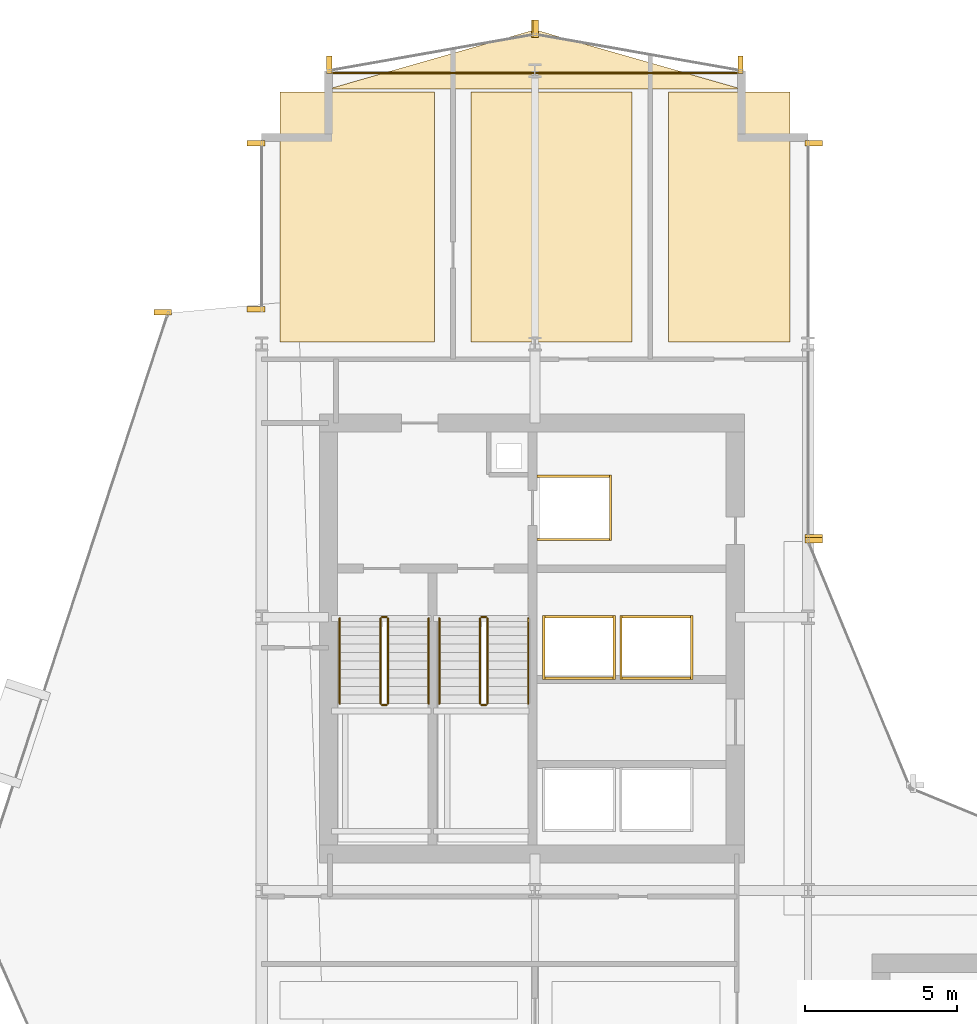
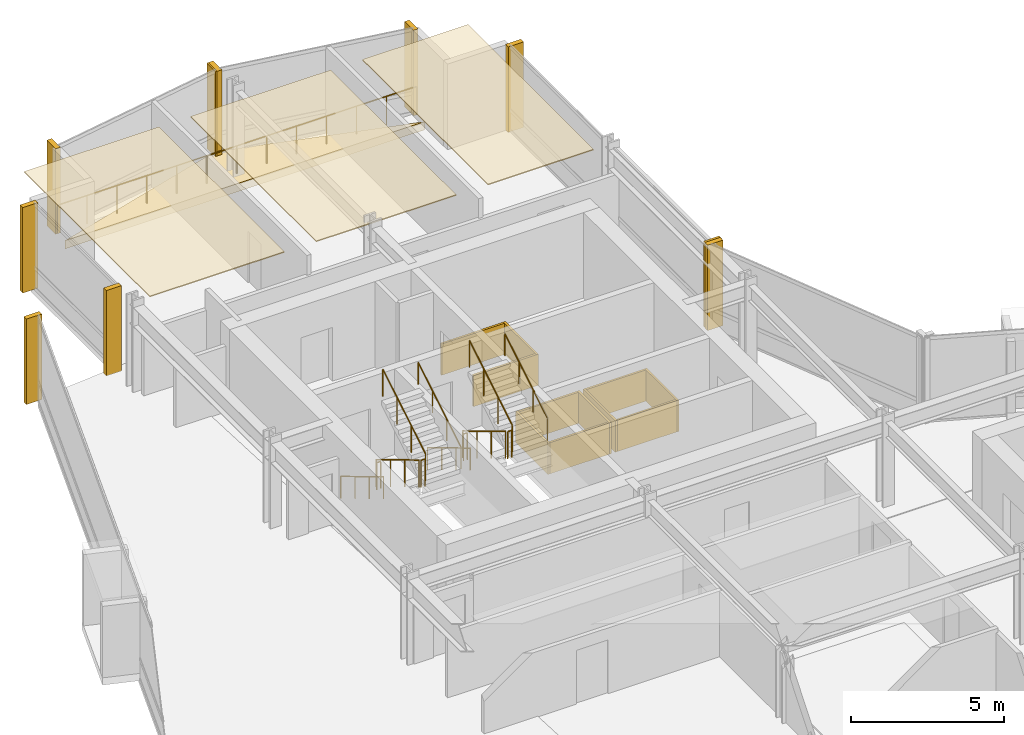
# One storey, part 33 of 34: 25 coverings, 13 railings.
"""IFC4 building model written with IfcOpenShell, lengths in metres."""

from ifc_helpers import new_model, si_unit, direction, frame, origin, origin_2d, place, context, subcontext, project, spatial, polyline, rectangle, circle, outline, extrude, material, layer, layer_set, type_object, element, save


model = new_model("IFC4")

# Units and contexts
model_context = context("Model", 3, precision=1e-05, world=origin(), true_north=direction((0.0, 1.0)))
body_context = subcontext(model_context, "Body", "Model", "MODEL_VIEW")
ifc_project = project(units=[si_unit("LENGTHUNIT", "METRE"), si_unit("AREAUNIT", "SQUARE_METRE"), si_unit("VOLUMEUNIT", "CUBIC_METRE"), si_unit("PLANEANGLEUNIT", "RADIAN"), si_unit("MASSUNIT", "GRAM", prefix="KILO")], contexts=[model_context])

# Site, building, storey
site_placement = place(None, origin())
site = spatial("IfcSite", under=ifc_project, at=site_placement, CompositionType="ELEMENT")
building_placement = place(site_placement, origin())
building = spatial("IfcBuilding", under=site, at=building_placement, Name="Solvaryn Broadcast Tower", CompositionType="ELEMENT")
storey_placement = place(building_placement, frame((0.0, 0.0, 89.10009765625)))
storey = spatial("IfcBuildingStorey", under=building, at=storey_placement, Name="L21", CompositionType="ELEMENT", Elevation=89.10009765625)

# Coverings
ifc_material_1 = material(Name="Micro-Perforated Acoustic Gypsum Ceiling", Category="concrete")
ifc_layer_1 = layer(ifc_material_1, 0.0400390625)
ifc_layer_set_1 = layer_set([ifc_layer_1], Name="CV-CEIL-ACOUSTIC")
covering_type_1 = type_object("IfcCoveringType", Name="CV-CEIL-ACOUSTIC", PredefinedType="CEILING", material=ifc_layer_set_1)
covering_1_placement = place(storey_placement, frame((0.0, 0.0, 3.3798828125)))
element("IfcCovering", 1, at=covering_1_placement, inside=storey, type_object=covering_type_1, Name="L21 Room Acoustic Ceiling 7", PredefinedType="CEILING", context=body_context, shape_type="SweptSolid", body=[
    extrude(outline(polyline([(9.60009765625, 45.070068359375), (14.699951171875, 45.070068359375), (14.699951171875, 53.300048828125), (9.60009765625, 53.300048828125), (9.60009765625, 45.070068359375)])), origin(), (0.0, 0.0, 1.0), 0.0400390625),
])
covering_2_placement = place(storey_placement, frame((0.0, 0.0, 3.3798828125)))
element("IfcCovering", 2, at=covering_2_placement, inside=storey, type_object=covering_type_1, Name="L21 Room Acoustic Ceiling 8", PredefinedType="CEILING", context=body_context, shape_type="SweptSolid", body=[
    extrude(outline(polyline([(15.89990234375, 45.070068359375), (21.199951171875, 45.070068359375), (21.199951171875, 53.300048828125), (15.89990234375, 53.300048828125), (15.89990234375, 45.070068359375)])), origin(), (0.0, 0.0, 1.0), 0.0400390625),
])
covering_3_placement = place(storey_placement, frame((0.0, 0.0, 3.3798828125)))
element("IfcCovering", 3, at=covering_3_placement, inside=storey, type_object=covering_type_1, Name="L21 Room Acoustic Ceiling 9", PredefinedType="CEILING", context=body_context, shape_type="SweptSolid", body=[
    extrude(outline(polyline([(22.39990234375, 45.070068359375), (26.39990234375, 45.070068359375), (26.39990234375, 53.300048828125), (22.39990234375, 53.300048828125), (22.39990234375, 45.070068359375)])), origin(), (0.0, 0.0, 1.0), 0.0400390625),
])
ifc_material_2 = material(Name="Fire-Rated Gypsum Shaftwall Liner", Category="concrete")
ifc_layer_2 = layer(ifc_material_2, 0.080078125)
ifc_layer_set_2 = layer_set([ifc_layer_2], Name="CV-SHAFT-LINER")
covering_type_2 = type_object("IfcCoveringType", Name="CV-SHAFT-LINER", PredefinedType="CLADDING", material=ifc_layer_set_2)
for number, where, z_axis, x_axis, name in (
    (4, (19.300048828125, 40.639892578125, 0.0), (0.0, 0.0, 1.0), (1.0, 0.0, 0.0), "L21 FL1 Hoistway Shaft Liner North"),
    (5, (19.300048828125, 38.56005859375, 0.0), (0.0, 0.0, 1.0), (1.0, 0.0, 0.0), "L21 FL1 Hoistway Shaft Liner South"),
):
    element("IfcCovering", number, at=place(storey_placement, frame(where, z_axis=z_axis, x_axis=x_axis)), inside=storey, type_object=covering_type_2, Name=name, PredefinedType="CLADDING", context=body_context, shape_type="SweptSolid", body=[
        extrude(rectangle(XDim=2.4599609375, YDim=0.080078125, at=origin_2d()), origin(), (0.0, 0.0, 1.0), 1.25),
    ])
covering_4_placement = place(storey_placement, frame((20.489990234375, 39.60009765625, 0.0), z_axis=(0.0, 0.0, 1.0), x_axis=(1.0, 0.0, 0.0)))
element("IfcCovering", 6, at=covering_4_placement, inside=storey, type_object=covering_type_2, Name="L21 FL1 Hoistway Shaft Liner East", PredefinedType="CLADDING", context=body_context, shape_type="SweptSolid", body=[
    extrude(rectangle(XDim=0.080078125, YDim=2.159912109375, at=origin_2d()), origin(), (0.0, 0.0, 1.0), 1.25),
])
for number, where, z_axis, x_axis, name in (
    (7, (19.449951171875, 36.014892578125, 0.0), (0.0, 0.0, 1.0), (1.0, 0.0, 0.0), "L21 PH3 Hoistway Shaft Liner North"),
    (8, (19.449951171875, 33.985107421875, 0.0), (0.0, 0.0, 1.0), (1.0, 0.0, 0.0), "L21 PH3 Hoistway Shaft Liner South"),
):
    element("IfcCovering", number, at=place(storey_placement, frame(where, z_axis=z_axis, x_axis=x_axis)), inside=storey, type_object=covering_type_2, Name=name, PredefinedType="CLADDING", context=body_context, shape_type="SweptSolid", body=[
        extrude(rectangle(XDim=2.409912109375, YDim=0.080078125, at=origin_2d()), origin(), (0.0, 0.0, 1.0), 1.25),
    ])
for number, where, z_axis, x_axis, name in (
    (9, (20.614990234375, 35.0, 0.0), (0.0, 0.0, 1.0), (1.0, 0.0, 0.0), "L21 PH3 Hoistway Shaft Liner East"),
    (10, (18.284912109375, 35.0, 0.0), (0.0, 0.0, 1.0), (1.0, 0.0, 0.0), "L21 PH3 Hoistway Shaft Liner West"),
):
    element("IfcCovering", number, at=place(storey_placement, frame(where, z_axis=z_axis, x_axis=x_axis)), inside=storey, type_object=covering_type_2, Name=name, PredefinedType="CLADDING", context=body_context, shape_type="SweptSolid", body=[
        extrude(rectangle(XDim=0.080078125, YDim=2.110107421875, at=origin_2d()), origin(), (0.0, 0.0, 1.0), 1.25),
    ])
for number, where, z_axis, x_axis, name in (
    (11, (22.0, 36.014892578125, 0.0), (0.0, 0.0, 1.0), (1.0, 0.0, 0.0), "L21 PH4 Hoistway Shaft Liner North"),
    (12, (22.0, 33.985107421875, 0.0), (0.0, 0.0, 1.0), (1.0, 0.0, 0.0), "L21 PH4 Hoistway Shaft Liner South"),
):
    element("IfcCovering", number, at=place(storey_placement, frame(where, z_axis=z_axis, x_axis=x_axis)), inside=storey, type_object=covering_type_2, Name=name, PredefinedType="CLADDING", context=body_context, shape_type="SweptSolid", body=[
        extrude(rectangle(XDim=2.409912109375, YDim=0.080078125, at=origin_2d()), origin(), (0.0, 0.0, 1.0), 1.25),
    ])
for number, where, z_axis, x_axis, name in (
    (13, (23.1650390625, 35.0, 0.0), (0.0, 0.0, 1.0), (1.0, 0.0, 0.0), "L21 PH4 Hoistway Shaft Liner East"),
    (14, (20.8349609375, 35.0, 0.0), (0.0, 0.0, 1.0), (1.0, 0.0, 0.0), "L21 PH4 Hoistway Shaft Liner West"),
):
    element("IfcCovering", number, at=place(storey_placement, frame(where, z_axis=z_axis, x_axis=x_axis)), inside=storey, type_object=covering_type_2, Name=name, PredefinedType="CLADDING", context=body_context, shape_type="SweptSolid", body=[
        extrude(rectangle(XDim=0.080078125, YDim=2.110107421875, at=origin_2d()), origin(), (0.0, 0.0, 1.0), 1.25),
    ])
ifc_material_3 = material(Name="Extruded Architectural Terracotta Fin", Category="masonry")
ifc_layer_3 = layer(ifc_material_3, 0.179931640625)
ifc_layer_set_3 = layer_set([ifc_layer_3], Name="CV-TC-FIN")
covering_type_3 = type_object("IfcCoveringType", Name="CV-TC-FIN", PredefinedType="USERDEFINED", material=ifc_layer_set_3)
for number, where, z_axis, x_axis, name in (
    (15, (5.735595703125, 46.043701171875, 0.0), (0.0, 0.0, 1.0), (1.0, 0.0, 0.0), "L21 Terracotta Vertical Fin FIN-L21-DR1-M00"),
    (16, (8.8125, 46.14599609375, 0.0), (0.0, 0.0, 1.0), (1.0, 0.0, 0.0), "L21 Terracotta Vertical Fin FIN-L21-W2-M00"),
    (17, (8.8125, 51.6201171875, 0.0), (0.0, 0.0, 1.0), (1.0, 0.0, 0.0), "L21 Terracotta Vertical Fin FIN-L21-W2-M01"),
    (18, (27.1875, 51.6201171875, 0.0), (0.0, 0.0, 1.0), (1.0, 0.0, 0.0), "L21 Terracotta Vertical Fin FIN-L21-IV-M00"),
    (19, (27.1875, 38.6298828125, 0.0), (0.0, 0.0, 1.0), (1.0, 0.0, 0.0), "L21 Terracotta Vertical Fin FIN-L21-IV-M01"),
    (20, (27.177978515625, 38.541259765625, 0.0), (0.0, 0.0, 1.0), (1.0, 0.0, 0.0), "L21 Terracotta Vertical Fin FIN-L21-CN2-M01"),
):
    element("IfcCovering", number, at=place(storey_placement, frame(where, z_axis=z_axis, x_axis=x_axis)), inside=storey, type_object=covering_type_3, Name=name, ObjectType="FIN", PredefinedType="USERDEFINED", context=body_context, shape_type="SweptSolid", body=[
        extrude(rectangle(XDim=0.580078125, YDim=0.179931640625, at=origin_2d()), origin(), (0.0, 0.0, 1.0), 3.419921875),
    ])
for number, where, z_axis, x_axis, name in (
    (21, (24.7705078125, 54.192626953125, 0.0), (0.0, 0.0, 1.0), (1.0, 0.0, 0.0), "L21 Terracotta Vertical Fin FIN-L21-NT1-M00"),
    (22, (18.029541015625, 55.38232421875, 0.0), (0.0, 0.0, 1.0), (1.0, 0.0, 0.0), "L21 Terracotta Vertical Fin FIN-L21-NT1-M01"),
    (23, (17.970458984375, 55.38232421875, 0.0), (0.0, 0.0, 1.0), (1.0, 0.0, 0.0), "L21 Terracotta Vertical Fin FIN-L21-NT2-M00"),
    (24, (11.2294921875, 54.192626953125, 0.0), (0.0, 0.0, 1.0), (1.0, 0.0, 0.0), "L21 Terracotta Vertical Fin FIN-L21-NT2-M01"),
):
    element("IfcCovering", number, at=place(storey_placement, frame(where, z_axis=z_axis, x_axis=x_axis)), inside=storey, type_object=covering_type_3, Name=name, ObjectType="FIN", PredefinedType="USERDEFINED", context=body_context, shape_type="SweptSolid", body=[
        extrude(rectangle(XDim=0.179931640625, YDim=0.580078125, at=origin_2d()), origin(), (0.0, 0.0, 1.0), 3.419921875),
    ])
ifc_material_4 = material(Name="Sculpted Architectural Terracotta Wave Fascia", Category="masonry")
ifc_layer_4 = layer(ifc_material_4, 0.340087890625)
ifc_layer_set_4 = layer_set([ifc_layer_4], Name="CV-WAVE-TRAY")
covering_type_4 = type_object("IfcCoveringType", Name="CV-WAVE-TRAY", PredefinedType="CLADDING", material=ifc_layer_set_4)
covering_5_placement = place(storey_placement, frame((0.0, 0.0, -0.300048828125)))
element("IfcCovering", 25, at=covering_5_placement, inside=storey, type_object=covering_type_4, Name="L21 North Curved Wing Deck", PredefinedType="CLADDING", context=body_context, shape_type="SweptSolid", body=[
    extrude(outline(polyline([(11.199951171875, 53.39990234375), (24.800048828125, 53.39990234375), (18.0, 55.35009765625), (11.199951171875, 53.39990234375)])), origin(), (0.0, 0.0, 1.0), 0.329833984375),
])

# Railings
ifc_material_5 = material(Name="Painted Steel Stair Well Guard", Category="steel")
railing_type_1 = type_object("IfcRailingType", Name="RL-STAIR-GUARD", PredefinedType="BALUSTRADE", material=ifc_material_5)
railing_1_placement = place(storey_placement, frame((12.909912109375, 35.9599609375, 0.16796875)))
element("IfcRailing", 26, at=railing_1_placement, inside=storey, type_object=railing_type_1, Name="L21 ST1 stair guard 1", PredefinedType="BALUSTRADE", context=body_context, shape_type="SweptSolid", body=[
    extrude(circle(Radius=0.02392578125, at=origin_2d()), frame((0.0, 0.0, 1.076171875), z_axis=(0.0, -0.857242210791, 0.514913383045), x_axis=(1.0, 0.0, 0.0)), (0.0, 0.0, 1.0), 3.266357421875),
    extrude(circle(Radius=0.02099609375, at=origin_2d()), origin(), (0.0, 0.0, 1.0), 1.052001953125),
    extrude(circle(Radius=0.02099609375, at=origin_2d()), frame((0.0, -0.933349609375, 0.560546875)), (0.0, 0.0, 1.0), 1.052001953125),
    extrude(circle(Radius=0.02099609375, at=origin_2d()), frame((0.0, -1.86669921875, 1.121337890625)), (0.0, 0.0, 1.0), 1.052001953125),
    extrude(circle(Radius=0.02099609375, at=origin_2d()), frame((0.0, -2.800048828125, 1.681884765625)), (0.0, 0.0, 1.0), 1.052001953125),
])
railing_2_placement = place(storey_placement, frame((12.9599609375, 33.110107421875, 1.849853515625)))
element("IfcRailing", 27, at=railing_2_placement, inside=storey, type_object=railing_type_1, Name="L21 ST1 stair guard 2", PredefinedType="BALUSTRADE", context=body_context, shape_type="SweptSolid", body=[
    extrude(circle(Radius=0.02392578125, at=origin_2d()), frame((0.0, 0.0, 1.076171875), z_axis=(1.0, 0.0, 0.0), x_axis=(0.0, 1.0, 0.0)), (0.0, 0.0, 1.0), 0.150146484375),
    extrude(circle(Radius=0.02099609375, at=origin_2d()), origin(), (0.0, 0.0, 1.0), 1.052001953125),
    extrude(circle(Radius=0.02099609375, at=origin_2d()), frame((0.150146484375, 0.0, 0.0)), (0.0, 0.0, 1.0), 1.052001953125),
])
railing_3_placement = place(storey_placement, frame((13.159912109375, 33.159912109375, 2.01806640625)))
element("IfcRailing", 28, at=railing_3_placement, inside=storey, type_object=railing_type_1, Name="L21 ST1 stair guard 3", PredefinedType="BALUSTRADE", context=body_context, shape_type="SweptSolid", body=[
    extrude(circle(Radius=0.02392578125, at=origin_2d()), frame((0.0, 0.0, 1.076171875), z_axis=(0.0, 0.857242210791, 0.514913383045), x_axis=(-1.0, 0.0, 0.0)), (0.0, 0.0, 1.0), 3.266357421875),
    extrude(circle(Radius=0.02099609375, at=origin_2d()), origin(), (0.0, 0.0, 1.0), 1.052001953125),
    extrude(circle(Radius=0.02099609375, at=origin_2d()), frame((0.0, 0.933349609375, 0.560546875)), (0.0, 0.0, 1.0), 1.052001953125),
    extrude(circle(Radius=0.02099609375, at=origin_2d()), frame((0.0, 1.86669921875, 1.121337890625)), (0.0, 0.0, 1.0), 1.052001953125),
    extrude(circle(Radius=0.02099609375, at=origin_2d()), frame((0.0, 2.800048828125, 1.681884765625)), (0.0, 0.0, 1.0), 1.052001953125),
])
railing_4_placement = place(storey_placement, frame((12.9599609375, 36.010009765625, 0.0)))
element("IfcRailing", 29, at=railing_4_placement, inside=storey, type_object=railing_type_1, Name="L21 ST1 stair guard 4", PredefinedType="BALUSTRADE", context=body_context, shape_type="SweptSolid", body=[
    extrude(circle(Radius=0.02392578125, at=origin_2d()), frame((0.0, 0.0, 1.076171875), z_axis=(1.0, 0.0, 0.0), x_axis=(0.0, 1.0, 0.0)), (0.0, 0.0, 1.0), 0.150146484375),
    extrude(circle(Radius=0.02099609375, at=origin_2d()), origin(), (0.0, 0.0, 1.0), 1.052001953125),
    extrude(circle(Radius=0.02099609375, at=origin_2d()), frame((0.150146484375, 0.0, 0.0)), (0.0, 0.0, 1.0), 1.052001953125),
])
railing_5_placement = place(storey_placement, frame((16.18994140625, 35.9599609375, 0.16796875)))
element("IfcRailing", 30, at=railing_5_placement, inside=storey, type_object=railing_type_1, Name="L21 ST2 stair guard 1", PredefinedType="BALUSTRADE", context=body_context, shape_type="SweptSolid", body=[
    extrude(circle(Radius=0.02392578125, at=origin_2d()), frame((0.0, 0.0, 1.076171875), z_axis=(0.0, -0.857242210791, 0.514913383045), x_axis=(1.0, 0.0, 0.0)), (0.0, 0.0, 1.0), 3.266357421875),
    extrude(circle(Radius=0.02099609375, at=origin_2d()), origin(), (0.0, 0.0, 1.0), 1.052001953125),
    extrude(circle(Radius=0.02099609375, at=origin_2d()), frame((0.0, -0.933349609375, 0.560546875)), (0.0, 0.0, 1.0), 1.052001953125),
    extrude(circle(Radius=0.02099609375, at=origin_2d()), frame((0.0, -1.86669921875, 1.121337890625)), (0.0, 0.0, 1.0), 1.052001953125),
    extrude(circle(Radius=0.02099609375, at=origin_2d()), frame((0.0, -2.800048828125, 1.681884765625)), (0.0, 0.0, 1.0), 1.052001953125),
])
railing_6_placement = place(storey_placement, frame((16.239990234375, 33.110107421875, 1.849853515625)))
element("IfcRailing", 31, at=railing_6_placement, inside=storey, type_object=railing_type_1, Name="L21 ST2 stair guard 2", PredefinedType="BALUSTRADE", context=body_context, shape_type="SweptSolid", body=[
    extrude(circle(Radius=0.02392578125, at=origin_2d()), frame((0.0, 0.0, 1.076171875), z_axis=(1.0, 0.0, 0.0), x_axis=(0.0, 1.0, 0.0)), (0.0, 0.0, 1.0), 0.14990234375),
    extrude(circle(Radius=0.02099609375, at=origin_2d()), origin(), (0.0, 0.0, 1.0), 1.052001953125),
    extrude(circle(Radius=0.02099609375, at=origin_2d()), frame((0.14990234375, 0.0, 0.0)), (0.0, 0.0, 1.0), 1.052001953125),
])
railing_7_placement = place(storey_placement, frame((16.43994140625, 33.159912109375, 2.01806640625)))
element("IfcRailing", 32, at=railing_7_placement, inside=storey, type_object=railing_type_1, Name="L21 ST2 stair guard 3", PredefinedType="BALUSTRADE", context=body_context, shape_type="SweptSolid", body=[
    extrude(circle(Radius=0.02392578125, at=origin_2d()), frame((0.0, 0.0, 1.076171875), z_axis=(0.0, 0.857242210791, 0.514913383045), x_axis=(-1.0, 0.0, 0.0)), (0.0, 0.0, 1.0), 3.266357421875),
    extrude(circle(Radius=0.02099609375, at=origin_2d()), origin(), (0.0, 0.0, 1.0), 1.052001953125),
    extrude(circle(Radius=0.02099609375, at=origin_2d()), frame((0.0, 0.933349609375, 0.560546875)), (0.0, 0.0, 1.0), 1.052001953125),
    extrude(circle(Radius=0.02099609375, at=origin_2d()), frame((0.0, 1.86669921875, 1.121337890625)), (0.0, 0.0, 1.0), 1.052001953125),
    extrude(circle(Radius=0.02099609375, at=origin_2d()), frame((0.0, 2.800048828125, 1.681884765625)), (0.0, 0.0, 1.0), 1.052001953125),
])
railing_8_placement = place(storey_placement, frame((16.239990234375, 36.010009765625, 0.0)))
element("IfcRailing", 33, at=railing_8_placement, inside=storey, type_object=railing_type_1, Name="L21 ST2 stair guard 4", PredefinedType="BALUSTRADE", context=body_context, shape_type="SweptSolid", body=[
    extrude(circle(Radius=0.02392578125, at=origin_2d()), frame((0.0, 0.0, 1.076171875), z_axis=(1.0, 0.0, 0.0), x_axis=(0.0, 1.0, 0.0)), (0.0, 0.0, 1.0), 0.14990234375),
    extrude(circle(Radius=0.02099609375, at=origin_2d()), origin(), (0.0, 0.0, 1.0), 1.052001953125),
    extrude(circle(Radius=0.02099609375, at=origin_2d()), frame((0.14990234375, 0.0, 0.0)), (0.0, 0.0, 1.0), 1.052001953125),
])
ifc_material_6 = material(Name="Brushed Stainless Steel Tubular Handrail", Category="steel")
railing_type_2 = type_object("IfcRailingType", Name="RL-STAIR-HANDRAIL", PredefinedType="HANDRAIL", material=ifc_material_6)
railing_9_placement = place(storey_placement, frame((11.570068359375, 35.9599609375, 0.16796875)))
element("IfcRailing", 34, at=railing_9_placement, inside=storey, type_object=railing_type_2, Name="L21 ST1 stair handrail 1", PredefinedType="HANDRAIL", context=body_context, shape_type="SweptSolid", body=[
    extrude(circle(Radius=0.02392578125, at=origin_2d()), frame((0.0, 0.0, 0.8759765625), z_axis=(0.0, -0.857242210791, 0.514913383045), x_axis=(1.0, 0.0, 0.0)), (0.0, 0.0, 1.0), 3.266357421875),
    extrude(circle(Radius=0.02099609375, at=origin_2d()), origin(), (0.0, 0.0, 1.0), 0.851806640625),
    extrude(circle(Radius=0.02099609375, at=origin_2d()), frame((0.0, -0.933349609375, 0.560546875)), (0.0, 0.0, 1.0), 0.851806640625),
    extrude(circle(Radius=0.02099609375, at=origin_2d()), frame((0.0, -1.86669921875, 1.121337890625)), (0.0, 0.0, 1.0), 0.851806640625),
    extrude(circle(Radius=0.02099609375, at=origin_2d()), frame((0.0, -2.800048828125, 1.681884765625)), (0.0, 0.0, 1.0), 0.851806640625),
])
railing_10_placement = place(storey_placement, frame((14.5, 33.159912109375, 2.01806640625)))
element("IfcRailing", 35, at=railing_10_placement, inside=storey, type_object=railing_type_2, Name="L21 ST1 stair handrail 2", PredefinedType="HANDRAIL", context=body_context, shape_type="SweptSolid", body=[
    extrude(circle(Radius=0.02392578125, at=origin_2d()), frame((0.0, 0.0, 0.8759765625), z_axis=(0.0, 0.857242210791, 0.514913383045), x_axis=(-1.0, 0.0, 0.0)), (0.0, 0.0, 1.0), 3.266357421875),
    extrude(circle(Radius=0.02099609375, at=origin_2d()), origin(), (0.0, 0.0, 1.0), 0.851806640625),
    extrude(circle(Radius=0.02099609375, at=origin_2d()), frame((0.0, 0.933349609375, 0.560546875)), (0.0, 0.0, 1.0), 0.851806640625),
    extrude(circle(Radius=0.02099609375, at=origin_2d()), frame((0.0, 1.86669921875, 1.121337890625)), (0.0, 0.0, 1.0), 0.851806640625),
    extrude(circle(Radius=0.02099609375, at=origin_2d()), frame((0.0, 2.800048828125, 1.681884765625)), (0.0, 0.0, 1.0), 0.851806640625),
])
railing_11_placement = place(storey_placement, frame((14.85009765625, 35.9599609375, 0.16796875)))
element("IfcRailing", 36, at=railing_11_placement, inside=storey, type_object=railing_type_2, Name="L21 ST2 stair handrail 1", PredefinedType="HANDRAIL", context=body_context, shape_type="SweptSolid", body=[
    extrude(circle(Radius=0.02392578125, at=origin_2d()), frame((0.0, 0.0, 0.8759765625), z_axis=(0.0, -0.857242210791, 0.514913383045), x_axis=(1.0, 0.0, 0.0)), (0.0, 0.0, 1.0), 3.266357421875),
    extrude(circle(Radius=0.02099609375, at=origin_2d()), origin(), (0.0, 0.0, 1.0), 0.851806640625),
    extrude(circle(Radius=0.02099609375, at=origin_2d()), frame((0.0, -0.933349609375, 0.560546875)), (0.0, 0.0, 1.0), 0.851806640625),
    extrude(circle(Radius=0.02099609375, at=origin_2d()), frame((0.0, -1.86669921875, 1.121337890625)), (0.0, 0.0, 1.0), 0.851806640625),
    extrude(circle(Radius=0.02099609375, at=origin_2d()), frame((0.0, -2.800048828125, 1.681884765625)), (0.0, 0.0, 1.0), 0.851806640625),
])
railing_12_placement = place(storey_placement, frame((17.780029296875, 33.159912109375, 2.01806640625)))
element("IfcRailing", 37, at=railing_12_placement, inside=storey, type_object=railing_type_2, Name="L21 ST2 stair handrail 2", PredefinedType="HANDRAIL", context=body_context, shape_type="SweptSolid", body=[
    extrude(circle(Radius=0.02392578125, at=origin_2d()), frame((0.0, 0.0, 0.8759765625), z_axis=(0.0, 0.857242210791, 0.514913383045), x_axis=(-1.0, 0.0, 0.0)), (0.0, 0.0, 1.0), 3.266357421875),
    extrude(circle(Radius=0.02099609375, at=origin_2d()), origin(), (0.0, 0.0, 1.0), 0.851806640625),
    extrude(circle(Radius=0.02099609375, at=origin_2d()), frame((0.0, 0.933349609375, 0.560546875)), (0.0, 0.0, 1.0), 0.851806640625),
    extrude(circle(Radius=0.02099609375, at=origin_2d()), frame((0.0, 1.86669921875, 1.121337890625)), (0.0, 0.0, 1.0), 0.851806640625),
    extrude(circle(Radius=0.02099609375, at=origin_2d()), frame((0.0, 2.800048828125, 1.681884765625)), (0.0, 0.0, 1.0), 0.851806640625),
])
ifc_material_7 = material(Name="Stainless Steel and Laminated Glass Guard", Category="steel")
railing_type_3 = type_object("IfcRailingType", Name="RL-TER-1150", PredefinedType="BALUSTRADE", material=ifc_material_7)
railing_13_placement = place(storey_placement, frame((11.199951171875, 53.919921875, 0.0)))
element("IfcRailing", 38, at=railing_13_placement, inside=storey, type_object=railing_type_3, Name="L21 North Wing Spandrel Edge Guard", PredefinedType="BALUSTRADE", context=body_context, shape_type="SweptSolid", body=[
    extrude(circle(Radius=0.02392578125, at=origin_2d()), frame((0.0, 0.0, 1.1259765625), z_axis=(1.0, 0.0, 0.0), x_axis=(0.0, 1.0, 0.0)), (0.0, 0.0, 1.0), 13.60009765625),
    extrude(circle(Radius=0.02099609375, at=origin_2d()), origin(), (0.0, 0.0, 1.0), 1.101806640625),
    extrude(circle(Radius=0.02099609375, at=origin_2d()), frame((1.13330078125, 0.0, 0.0)), (0.0, 0.0, 1.0), 1.101806640625),
    extrude(circle(Radius=0.02099609375, at=origin_2d()), frame((2.2666015625, 0.0, 0.0)), (0.0, 0.0, 1.0), 1.101806640625),
    extrude(circle(Radius=0.02099609375, at=origin_2d()), frame((3.39990234375, 0.0, 0.0)), (0.0, 0.0, 1.0), 1.101806640625),
    extrude(circle(Radius=0.02099609375, at=origin_2d()), frame((4.533447265625, 0.0, 0.0)), (0.0, 0.0, 1.0), 1.101806640625),
    extrude(circle(Radius=0.02099609375, at=origin_2d()), frame((5.666748046875, 0.0, 0.0)), (0.0, 0.0, 1.0), 1.101806640625),
    extrude(circle(Radius=0.02099609375, at=origin_2d()), frame((6.800048828125, 0.0, 0.0)), (0.0, 0.0, 1.0), 1.101806640625),
    extrude(circle(Radius=0.02099609375, at=origin_2d()), frame((7.933349609375, 0.0, 0.0)), (0.0, 0.0, 1.0), 1.101806640625),
    extrude(circle(Radius=0.02099609375, at=origin_2d()), frame((9.066650390625, 0.0, 0.0)), (0.0, 0.0, 1.0), 1.101806640625),
    extrude(circle(Radius=0.02099609375, at=origin_2d()), frame((10.2001953125, 0.0, 0.0)), (0.0, 0.0, 1.0), 1.101806640625),
    extrude(circle(Radius=0.02099609375, at=origin_2d()), frame((11.33349609375, 0.0, 0.0)), (0.0, 0.0, 1.0), 1.101806640625),
    extrude(circle(Radius=0.02099609375, at=origin_2d()), frame((12.466796875, 0.0, 0.0)), (0.0, 0.0, 1.0), 1.101806640625),
    extrude(circle(Radius=0.02099609375, at=origin_2d()), frame((13.60009765625, 0.0, 0.0)), (0.0, 0.0, 1.0), 1.101806640625),
])

save(model, "model.ifc")
